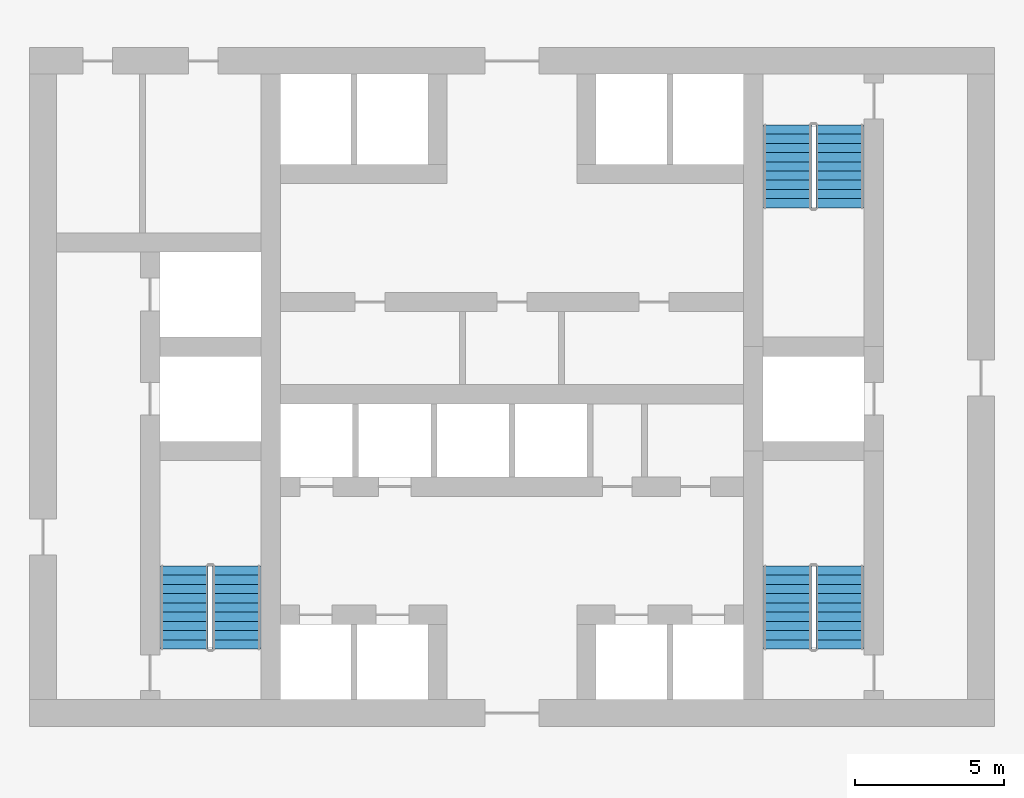
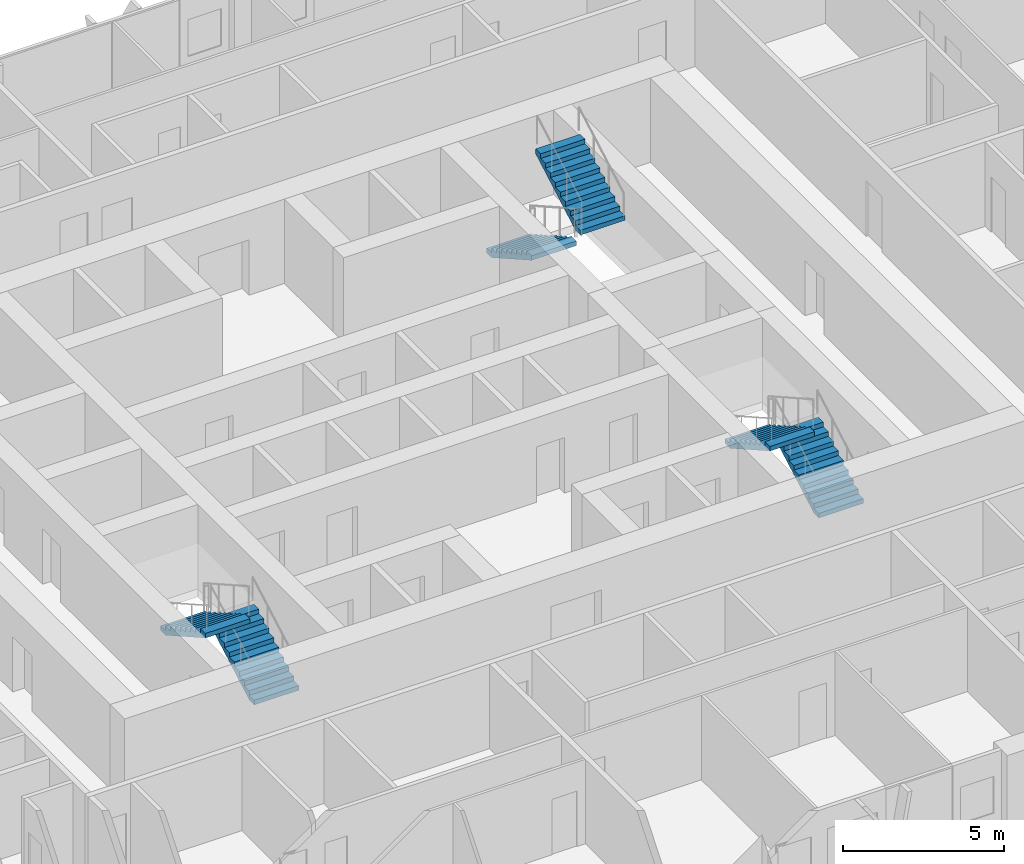
# One storey, part 16 of 22: 6 stair flights, 3 elements without a shape of their own.
"""IFC4 building model written with IfcOpenShell, lengths in metres."""

from ifc_helpers import new_model, si_unit, direction, frame, origin, place, context, subcontext, project, spatial, polyline, outline, extrude, material, type_object, element, aggregate, save


model = new_model("IFC4")

# Units and contexts
model_context = context("Model", 3, precision=1e-05, world=origin(), true_north=direction((0.0, 1.0)))
body_context = subcontext(model_context, "Body", "Model", "MODEL_VIEW")
ifc_project = project(units=[si_unit("LENGTHUNIT", "METRE"), si_unit("AREAUNIT", "SQUARE_METRE"), si_unit("VOLUMEUNIT", "CUBIC_METRE"), si_unit("PLANEANGLEUNIT", "RADIAN"), si_unit("MASSUNIT", "GRAM", prefix="KILO")], contexts=[model_context])

# Site, building, storey
site_placement = place(None, origin())
site = spatial("IfcSite", under=ifc_project, at=site_placement, CompositionType="ELEMENT")
building_placement = place(site_placement, origin())
building = spatial("IfcBuilding", under=site, at=building_placement, Name="Madar Terraces", CompositionType="ELEMENT")
storey_placement = place(building_placement, frame((0.0, 0.0, 66.300048828125)))
storey = spatial("IfcBuildingStorey", under=building, at=storey_placement, Name="L16", CompositionType="ELEMENT", Elevation=66.300048828125)

# Stair, stair flights
ifc_material_1 = material(Name="Concrete C50/60", Category="concrete")
stair_type_1 = type_object("IfcStairType", Name="Stair ST1 protected exit", PredefinedType="HALF_TURN_STAIR", material=ifc_material_1)
stair_1_placement = place(storey_placement, origin())
stair_1 = element("IfcStair", 1, at=stair_1_placement, inside=storey, type_object=stair_type_1, Name="L16 Protected Exit Stair ST1", PredefinedType="HALF_TURN_STAIR")
ifc_material_2 = material(Name="Concrete C50/60", Category="concrete")
stair_flight_type_1 = type_object("IfcStairFlightType", Name="Stair flight ST1-F4, 1600 wide, 10 risers", PredefinedType="STRAIGHT", material=ifc_material_2)
stair_flight_1_placement = place(storey_placement, frame((21.949951171875, 17.60009765625, 0.0), z_axis=(0.0, 0.0, 1.0), x_axis=(0.0, 1.0, 0.0)))
stair_flight_1 = element("IfcStairFlight", 2, at=stair_flight_1_placement, type_object=stair_flight_type_1, Name="ST1 flight 1", NumberOfRisers=10, NumberOfTreads=9, PredefinedType="STRAIGHT", RiserHeight=0.175, TreadLength=0.31, context=body_context, shape_type="SweptSolid", body=[
    extrude(outline(polyline([(0.0, 0.0), (0.0, 0.175048828125), (0.31005859375, 0.175048828125), (0.31005859375, 0.35009765625), (0.6201171875, 0.35009765625), (0.6201171875, 0.52490234375), (0.929931640625, 0.52490234375), (0.929931640625, 0.699951171875), (1.239990234375, 0.699951171875), (1.239990234375, 0.875), (1.550048828125, 0.875), (1.550048828125, 1.050048828125), (1.860107421875, 1.050048828125), (1.860107421875, 1.22509765625), (2.169921875, 1.22509765625), (2.169921875, 1.39990234375), (2.47998046875, 1.39990234375), (2.47998046875, 1.574951171875), (2.7900390625, 1.574951171875), (2.7900390625, 1.75), (2.7900390625, 1.40283203125), (0.304931640625, 0.0), (0.0, 0.0)])), frame((0.0, 0.800048828125, 0.0), z_axis=(0.0, -1.0, 0.0), x_axis=(1.0, 0.0, 0.0)), (0.0, 0.0, 1.0), 1.60009765625),
])
stair_flight_2_placement = place(storey_placement, frame((20.199951171875, 20.389892578125, 1.75), z_axis=(0.0, 0.0, 1.0), x_axis=(0.0, -1.0, 0.0)))
stair_flight_2 = element("IfcStairFlight", 3, at=stair_flight_2_placement, type_object=stair_flight_type_1, Name="ST1 flight 2", NumberOfRisers=10, NumberOfTreads=9, PredefinedType="STRAIGHT", RiserHeight=0.175, TreadLength=0.31, context=body_context, shape_type="SweptSolid", body=[
    extrude(outline(polyline([(0.0, 0.0), (0.0, 0.175048828125), (0.31005859375, 0.175048828125), (0.31005859375, 0.35009765625), (0.6201171875, 0.35009765625), (0.6201171875, 0.52490234375), (0.929931640625, 0.52490234375), (0.929931640625, 0.699951171875), (1.239990234375, 0.699951171875), (1.239990234375, 0.875), (1.550048828125, 0.875), (1.550048828125, 1.050048828125), (1.860107421875, 1.050048828125), (1.860107421875, 1.22509765625), (2.169921875, 1.22509765625), (2.169921875, 1.39990234375), (2.47998046875, 1.39990234375), (2.47998046875, 1.574951171875), (2.7900390625, 1.574951171875), (2.7900390625, 1.75), (2.7900390625, 1.40283203125), (0.304931640625, 0.0), (0.0, 0.0)])), frame((0.0, 0.800048828125, 0.0), z_axis=(0.0, -1.0, 0.0), x_axis=(1.0, 0.0, 0.0)), (0.0, 0.0, 1.0), 1.60009765625),
])
aggregate(stair_1, [stair_flight_1, stair_flight_2])

ifc_material_3 = material(Name="Concrete C50/60", Category="concrete")
stair_type_2 = type_object("IfcStairType", Name="Stair ST2 protected exit", PredefinedType="HALF_TURN_STAIR", material=ifc_material_3)
stair_2_placement = place(storey_placement, origin())
stair_2 = element("IfcStair", 4, at=stair_2_placement, inside=storey, type_object=stair_type_2, Name="L16 Protected Exit Stair ST2", PredefinedType="HALF_TURN_STAIR")
ifc_material_4 = material(Name="Concrete C50/60", Category="concrete")
stair_flight_type_2 = type_object("IfcStairFlightType", Name="Stair flight ST2-F4, 1600 wide, 10 risers", PredefinedType="STRAIGHT", material=ifc_material_4)
stair_flight_3_placement = place(storey_placement, frame((40.449951171875, 35.199951171875, 0.0), z_axis=(0.0, 0.0, 1.0), x_axis=(0.0, -1.0, 0.0)))
stair_flight_3 = element("IfcStairFlight", 5, at=stair_flight_3_placement, type_object=stair_flight_type_2, Name="ST2 flight 1", NumberOfRisers=10, NumberOfTreads=9, PredefinedType="STRAIGHT", RiserHeight=0.175, TreadLength=0.31, context=body_context, shape_type="SweptSolid", body=[
    extrude(outline(polyline([(0.0, 0.0), (0.0, 0.175048828125), (0.31005859375, 0.175048828125), (0.31005859375, 0.35009765625), (0.6201171875, 0.35009765625), (0.6201171875, 0.52490234375), (0.929931640625, 0.52490234375), (0.929931640625, 0.699951171875), (1.239990234375, 0.699951171875), (1.239990234375, 0.875), (1.550048828125, 0.875), (1.550048828125, 1.050048828125), (1.860107421875, 1.050048828125), (1.860107421875, 1.22509765625), (2.169921875, 1.22509765625), (2.169921875, 1.39990234375), (2.47998046875, 1.39990234375), (2.47998046875, 1.574951171875), (2.7900390625, 1.574951171875), (2.7900390625, 1.75), (2.7900390625, 1.40283203125), (0.304931640625, 0.0), (0.0, 0.0)])), frame((0.0, 0.800048828125, 0.0), z_axis=(0.0, -1.0, 0.0), x_axis=(1.0, 0.0, 0.0)), (0.0, 0.0, 1.0), 1.60009765625),
])
stair_flight_4_placement = place(storey_placement, frame((42.199951171875, 32.409912109375, 1.75), z_axis=(0.0, 0.0, 1.0), x_axis=(0.0, 1.0, 0.0)))
stair_flight_4 = element("IfcStairFlight", 6, at=stair_flight_4_placement, type_object=stair_flight_type_2, Name="ST2 flight 2", NumberOfRisers=10, NumberOfTreads=9, PredefinedType="STRAIGHT", RiserHeight=0.175, TreadLength=0.31, context=body_context, shape_type="SweptSolid", body=[
    extrude(outline(polyline([(0.0, 0.0), (0.0, 0.175048828125), (0.31005859375, 0.175048828125), (0.31005859375, 0.35009765625), (0.6201171875, 0.35009765625), (0.6201171875, 0.52490234375), (0.929931640625, 0.52490234375), (0.929931640625, 0.699951171875), (1.239990234375, 0.699951171875), (1.239990234375, 0.875), (1.550048828125, 0.875), (1.550048828125, 1.050048828125), (1.860107421875, 1.050048828125), (1.860107421875, 1.22509765625), (2.169921875, 1.22509765625), (2.169921875, 1.39990234375), (2.47998046875, 1.39990234375), (2.47998046875, 1.574951171875), (2.7900390625, 1.574951171875), (2.7900390625, 1.75), (2.7900390625, 1.40283203125), (0.304931640625, 0.0), (0.0, 0.0)])), frame((0.0, 0.800048828125, 0.0), z_axis=(0.0, -1.0, 0.0), x_axis=(1.0, 0.0, 0.0)), (0.0, 0.0, 1.0), 1.60009765625),
])
aggregate(stair_2, [stair_flight_3, stair_flight_4])

ifc_material_5 = material(Name="Concrete C50/60", Category="concrete")
stair_type_3 = type_object("IfcStairType", Name="Stair ST3 protected exit", PredefinedType="HALF_TURN_STAIR", material=ifc_material_5)
stair_3_placement = place(storey_placement, origin())
stair_3 = element("IfcStair", 7, at=stair_3_placement, inside=storey, type_object=stair_type_3, Name="L16 Protected Exit Stair ST3", PredefinedType="HALF_TURN_STAIR")
ifc_material_6 = material(Name="Concrete C50/60", Category="concrete")
stair_flight_type_3 = type_object("IfcStairFlightType", Name="Stair flight ST3-F4, 1600 wide, 10 risers", PredefinedType="STRAIGHT", material=ifc_material_6)
stair_flight_5_placement = place(storey_placement, frame((42.199951171875, 17.60009765625, 0.0), z_axis=(0.0, 0.0, 1.0), x_axis=(0.0, 1.0, 0.0)))
stair_flight_5 = element("IfcStairFlight", 8, at=stair_flight_5_placement, type_object=stair_flight_type_3, Name="ST3 flight 1", NumberOfRisers=10, NumberOfTreads=9, PredefinedType="STRAIGHT", RiserHeight=0.175, TreadLength=0.31, context=body_context, shape_type="SweptSolid", body=[
    extrude(outline(polyline([(0.0, 0.0), (0.0, 0.175048828125), (0.31005859375, 0.175048828125), (0.31005859375, 0.35009765625), (0.6201171875, 0.35009765625), (0.6201171875, 0.52490234375), (0.929931640625, 0.52490234375), (0.929931640625, 0.699951171875), (1.239990234375, 0.699951171875), (1.239990234375, 0.875), (1.550048828125, 0.875), (1.550048828125, 1.050048828125), (1.860107421875, 1.050048828125), (1.860107421875, 1.22509765625), (2.169921875, 1.22509765625), (2.169921875, 1.39990234375), (2.47998046875, 1.39990234375), (2.47998046875, 1.574951171875), (2.7900390625, 1.574951171875), (2.7900390625, 1.75), (2.7900390625, 1.40283203125), (0.304931640625, 0.0), (0.0, 0.0)])), frame((0.0, 0.800048828125, 0.0), z_axis=(0.0, -1.0, 0.0), x_axis=(1.0, 0.0, 0.0)), (0.0, 0.0, 1.0), 1.60009765625),
])
stair_flight_6_placement = place(storey_placement, frame((40.449951171875, 20.389892578125, 1.75), z_axis=(0.0, 0.0, 1.0), x_axis=(0.0, -1.0, 0.0)))
stair_flight_6 = element("IfcStairFlight", 9, at=stair_flight_6_placement, type_object=stair_flight_type_3, Name="ST3 flight 2", NumberOfRisers=10, NumberOfTreads=9, PredefinedType="STRAIGHT", RiserHeight=0.175, TreadLength=0.31, context=body_context, shape_type="SweptSolid", body=[
    extrude(outline(polyline([(0.0, 0.0), (0.0, 0.175048828125), (0.31005859375, 0.175048828125), (0.31005859375, 0.35009765625), (0.6201171875, 0.35009765625), (0.6201171875, 0.52490234375), (0.929931640625, 0.52490234375), (0.929931640625, 0.699951171875), (1.239990234375, 0.699951171875), (1.239990234375, 0.875), (1.550048828125, 0.875), (1.550048828125, 1.050048828125), (1.860107421875, 1.050048828125), (1.860107421875, 1.22509765625), (2.169921875, 1.22509765625), (2.169921875, 1.39990234375), (2.47998046875, 1.39990234375), (2.47998046875, 1.574951171875), (2.7900390625, 1.574951171875), (2.7900390625, 1.75), (2.7900390625, 1.40283203125), (0.304931640625, 0.0), (0.0, 0.0)])), frame((0.0, 0.800048828125, 0.0), z_axis=(0.0, -1.0, 0.0), x_axis=(1.0, 0.0, 0.0)), (0.0, 0.0, 1.0), 1.60009765625),
])
aggregate(stair_3, [stair_flight_5, stair_flight_6])

save(model, "model.ifc")
